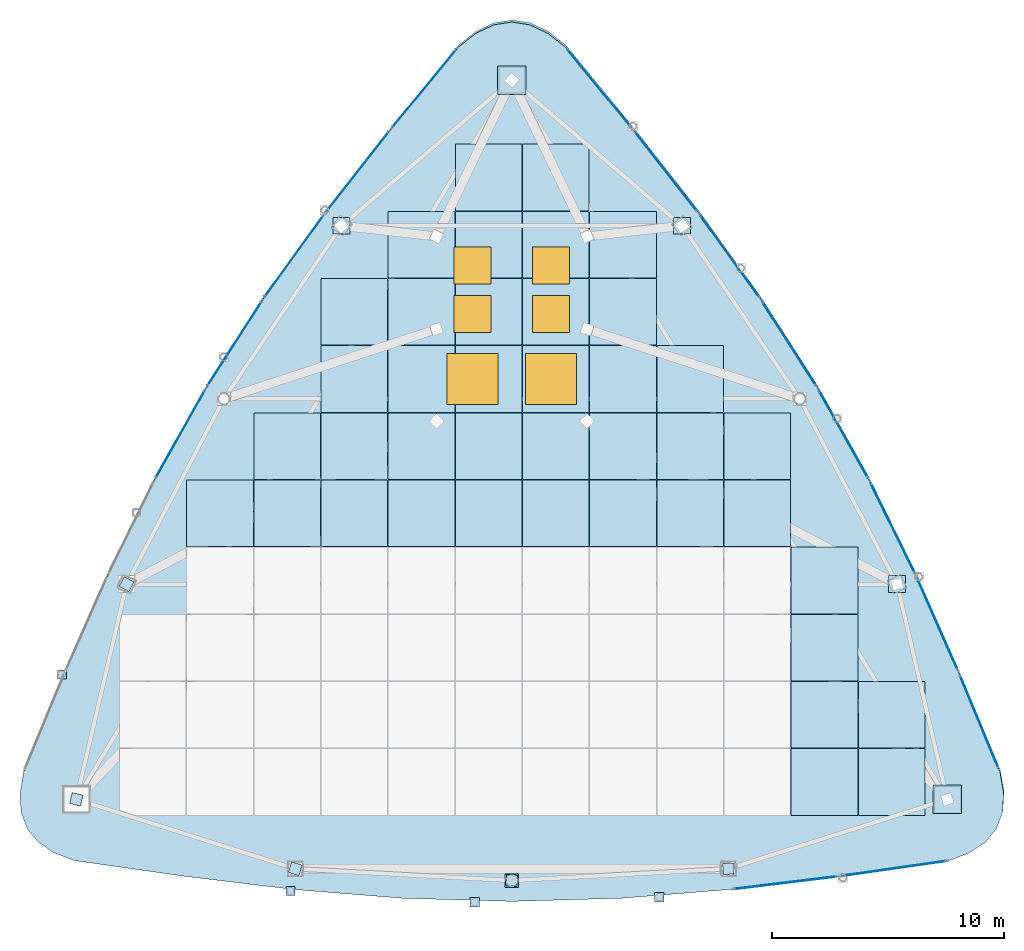
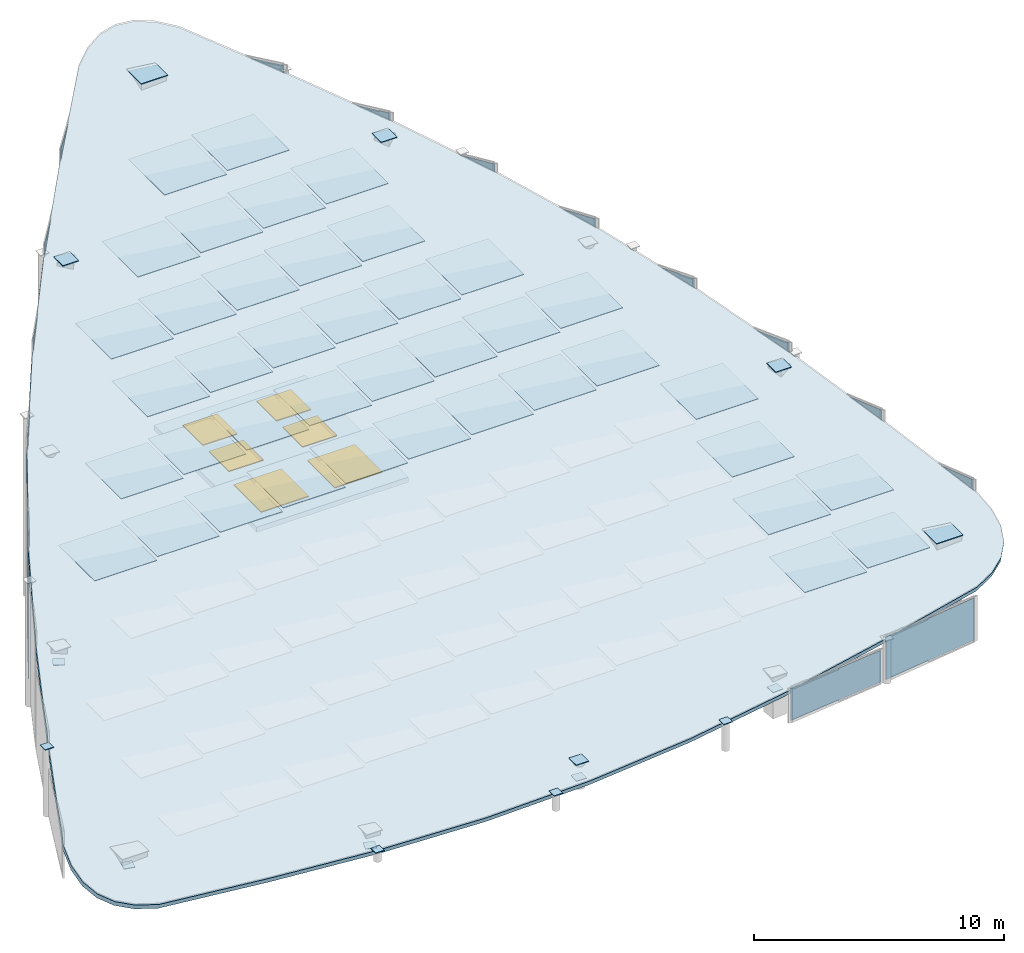
# One storey, part 19 of 21: 70 plates, 6 windows, 2 slabs, 6 openings, 15 elements without a shape of their own.
"""IFC4 building model written with IfcOpenShell, lengths in metres."""

import ifcopenshell
import ifcopenshell.guid

model = None  # the IFC model being written
_history = None  # IfcOwnerHistory: only IFC2X3 demands one
_inside = {}  # id of a spatial element -> (the spatial element, [elements in it])
_under = {}  # id of a project, library or spatial element -> (it, [spatial elements below it])
_declared = {}  # id of a project -> (the project, [libraries it declares])
_typed = {}  # id of a type object -> (the type object, [elements of that type])
_made_of = {}  # id of a material, layer set ... -> (it, [elements and type objects made of it])


def new_model(schema):
    """Start an empty IFC model of exactly this schema.

    Asked for "IFC4X3", IfcOpenShell would pick the latest addendum, in which some entities
    have other attributes; the version numbers below select the first issue.
    IFC2X3 requires an IfcOwnerHistory on every rooted entity: one is made here for all.
    """
    global model, _history
    if schema == "IFC4X3":
        model = ifcopenshell.file(schema_version=(4, 3, 0, 0))
    else:
        model = ifcopenshell.file(schema=schema)
    _inside.clear()
    _under.clear()
    _declared.clear()
    _typed.clear()
    _made_of.clear()
    _history = None
    if model.schema == "IFC2X3":
        org = make("IfcOrganization", Name="unknown")
        user = make(
            "IfcPersonAndOrganization",
            ThePerson=make("IfcPerson", FamilyName="unknown"),
            TheOrganization=org,
        )
        app = make(
            "IfcApplication",
            ApplicationDeveloper=org,
            Version="unknown",
            ApplicationFullName="unknown",
            ApplicationIdentifier="unknown",
        )
        _history = make(
            "IfcOwnerHistory",
            OwningUser=user,
            OwningApplication=app,
            ChangeAction="ADDED",
            CreationDate=0,
        )
    return model


def make(cls, **values):
    """One entity of the class cls with the attributes given. An attribute that is None is left unset."""
    return model.create_entity(
        cls, **{name: value for name, value in values.items() if value is not None}
    )


def rooted(cls, **values):
    """An entity with a GlobalId (a new one), such as an element, a storey or a relation."""
    return make(cls, GlobalId=ifcopenshell.guid.new(), OwnerHistory=_history, **values)


def si_unit(unit_type, name, prefix=None):
    """IfcSIUnit, for example si_unit("LENGTHUNIT", "METRE", prefix="MILLI")."""
    return make("IfcSIUnit", UnitType=unit_type, Prefix=prefix, Name=name)


def assignment(units):
    """IfcUnitAssignment: the units of a project."""
    return None if units is None else make("IfcUnitAssignment", Units=units)


def point(xyz):
    """IfcCartesianPoint."""
    return None if xyz is None else make("IfcCartesianPoint", Coordinates=xyz)


def direction(xyz):
    """IfcDirection."""
    return None if xyz is None else make("IfcDirection", DirectionRatios=xyz)


def frame(location, z_axis=None, x_axis=None):
    """IfcAxis2Placement3D, a coordinate frame: its origin and axes. An axis left out is left unset."""
    return make(
        "IfcAxis2Placement3D",
        Location=point(location),
        Axis=direction(z_axis),
        RefDirection=direction(x_axis),
    )


def frame_2d(location, x_axis=None):
    """IfcAxis2Placement2D, a coordinate frame in the plane: its origin and x axis."""
    return make(
        "IfcAxis2Placement2D", Location=point(location), RefDirection=direction(x_axis)
    )


def origin():
    """The frame at (0, 0, 0) with its axes left unset."""
    return frame((0.0, 0.0, 0.0))


def origin_2d():
    """The frame at (0, 0) in the plane with its x axis left unset."""
    return frame_2d((0.0, 0.0))


def place(relative_to, where):
    """IfcLocalPlacement: puts the frame where relative to a parent placement (None: the world)."""
    return make(
        "IfcLocalPlacement", PlacementRelTo=relative_to, RelativePlacement=where
    )


def context(
    kind, dimensions, precision=None, world=None, true_north=None, identifier=None
):
    """IfcGeometricRepresentationContext, for example the 3D "Model" context."""
    return make(
        "IfcGeometricRepresentationContext",
        ContextIdentifier=identifier,
        ContextType=kind,
        CoordinateSpaceDimension=dimensions,
        Precision=precision,
        WorldCoordinateSystem=world,
        TrueNorth=true_north,
    )


def subcontext(parent, identifier, kind, view, scale=None):
    """IfcGeometricRepresentationSubContext, for example "Body" below "Model"."""
    return make(
        "IfcGeometricRepresentationSubContext",
        ContextIdentifier=identifier,
        ContextType=kind,
        ParentContext=parent,
        TargetScale=scale,
        TargetView=view,
    )


def project(units=None, contexts=None):
    """IfcProject with its units and contexts."""
    return rooted(
        "IfcProject",
        Name="project",
        RepresentationContexts=contexts,
        UnitsInContext=assignment(units),
    )


def spatial(cls, under=None, at=None, **own):
    """A site, building, storey or space (cls), placed at a placement, below another one or the project."""
    s = rooted(cls, ObjectPlacement=at, **own)
    if under is not None:
        _under.setdefault(under.id(), (under, []))[1].append(s)
    return s


def polyline(points):
    """IfcPolyline through the points."""
    return make("IfcPolyline", Points=[point(p) for p in points])


def profile(cls, at=None, kind="AREA", **sizes):
    """A parametric profile (cls). Its sizes go by their IFC names, for example OverallWidth=200.0."""
    return make(cls, ProfileType=kind, Position=at, **sizes)


def rectangle(**sizes):
    """IfcRectangleProfileDef."""
    return profile("IfcRectangleProfileDef", **sizes)


def outline(outer, holes=None, kind="AREA"):
    """IfcArbitraryClosedProfileDef: a profile drawn as a closed curve; with holes, ...WithVoids."""
    if holes is None:
        return make("IfcArbitraryClosedProfileDef", ProfileType=kind, OuterCurve=outer)
    return make(
        "IfcArbitraryProfileDefWithVoids",
        ProfileType=kind,
        OuterCurve=outer,
        InnerCurves=holes,
    )


def extrude(swept, where, along, depth):
    """IfcExtrudedAreaSolid: the profile swept, set in the frame where, extruded along a direction by depth."""
    return make(
        "IfcExtrudedAreaSolid",
        SweptArea=swept,
        Position=where,
        ExtrudedDirection=direction(along),
        Depth=depth,
    )


def shape(context_of_items, identifier, shape_type, items):
    """IfcShapeRepresentation: the items that make up one representation, for example the "Body"."""
    return make(
        "IfcShapeRepresentation",
        ContextOfItems=context_of_items,
        RepresentationIdentifier=identifier,
        RepresentationType=shape_type,
        Items=items,
    )


def material(Name=None, Category=None):
    """IfcMaterial."""
    return make("IfcMaterial", Name=Name, Category=Category)


def layer(
    of_material, thickness, ventilated=None, Name=None, Category=None, Priority=None
):
    """IfcMaterialLayer: one layer of a wall or slab, of a material (None: an air gap)."""
    return make(
        "IfcMaterialLayer",
        Material=of_material,
        LayerThickness=thickness,
        IsVentilated=ventilated,
        Name=Name,
        Category=Category,
        Priority=Priority,
    )


def layer_set(layers, Name=None):
    """IfcMaterialLayerSet."""
    return make("IfcMaterialLayerSet", MaterialLayers=layers, LayerSetName=Name)


def made_of(thing, what):
    """Note that an element or type object is made of a material, layer set ...; save() writes the relation."""
    if what is not None:
        _made_of.setdefault(what.id(), (what, []))[1].append(thing)
    return thing


def type_object(cls, material=None, **own):
    """A type object (cls), such as IfcWallType, which elements share."""
    return made_of(rooted(cls, **own), material)


def element(
    cls,
    number,
    at=None,
    inside=None,
    cuts=None,
    type_object=None,
    material=None,
    context=None,
    identifier="Body",
    shape_type=None,
    held_by="IfcProductDefinitionShape",
    body=None,
    shapes=None,
    **own,
):
    """One element of the class cls, such as IfcWall. Its Tag is "e" and its number.

    at: its placement. inside: the storey or other place that contains it. cuts: it is an
    opening in that element (IfcRelVoidsElement). A single representation is given by context,
    identifier, shape_type and body (its items); several are given by shapes. held_by: the class
    of the entity that holds the representations. save() writes the other relations.
    """
    e = rooted(cls, Tag="e%d" % number, ObjectPlacement=at, **own)
    if body is not None:
        shapes = [shape(context, identifier, shape_type, body)]
    if shapes is not None:
        e.Representation = make(held_by, Representations=shapes)
    if inside is not None:
        _inside.setdefault(inside.id(), (inside, []))[1].append(e)
    if cuts is not None:
        rooted(
            "IfcRelVoidsElement", RelatingBuildingElement=cuts, RelatedOpeningElement=e
        )
    if type_object is not None:
        _typed.setdefault(type_object.id(), (type_object, []))[1].append(e)
    return made_of(e, material)


def fill(opening, filler):
    """IfcRelFillsElement: the door or window that sits in an opening."""
    return rooted(
        "IfcRelFillsElement",
        RelatingOpeningElement=opening,
        RelatedBuildingElement=filler,
    )


def aggregate(whole, parts):
    """IfcRelAggregates: a whole, such as a stair, and the parts it consists of."""
    return rooted("IfcRelAggregates", RelatingObject=whole, RelatedObjects=parts)


def save(model, path):
    """Write the relations noted so far, then the file.

    IfcRelAggregates (storeys below a building ...), IfcRelContainedInSpatialStructure (elements
    in a storey), IfcRelDefinesByType, IfcRelAssociatesMaterial and IfcRelDeclares: one each for
    every whole, place, type object, material and project.
    """
    for whole, parts in _under.values():
        aggregate(whole, parts)
    for where, things in _inside.values():
        rooted(
            "IfcRelContainedInSpatialStructure",
            RelatedElements=things,
            RelatingStructure=where,
        )
    for kind, things in _typed.values():
        rooted("IfcRelDefinesByType", RelatedObjects=things, RelatingType=kind)
    for what, things in _made_of.values():
        rooted("IfcRelAssociatesMaterial", RelatedObjects=things, RelatingMaterial=what)
    for by, libraries in _declared.values():
        rooted("IfcRelDeclares", RelatingContext=by, RelatedDefinitions=libraries)
    model.write(path)


model = new_model("IFC4")

# Units and contexts
model_context = context("Model", 3, precision=1e-05, world=origin(), true_north=direction((0.0, 1.0)))
body_context = subcontext(model_context, "Body", "Model", "MODEL_VIEW")
ifc_project = project(units=[si_unit("LENGTHUNIT", "METRE"), si_unit("AREAUNIT", "SQUARE_METRE"), si_unit("VOLUMEUNIT", "CUBIC_METRE"), si_unit("PLANEANGLEUNIT", "RADIAN"), si_unit("MASSUNIT", "GRAM", prefix="KILO")], contexts=[model_context])

# Site, building, storey
site_placement = place(None, origin())
site = spatial("IfcSite", under=ifc_project, at=site_placement, CompositionType="ELEMENT")
building_placement = place(site_placement, origin())
building = spatial("IfcBuilding", under=site, at=building_placement, Name="Orvanel Arch Residences", CompositionType="ELEMENT")
storey_placement = place(building_placement, frame((0.0, 0.0, 314.89990234375)))
storey = spatial("IfcBuildingStorey", under=building, at=storey_placement, Name="RF", CompositionType="ELEMENT", Elevation=314.89990234375)

# Plates
ifc_material_1 = material(Name="Structural steel AS/NZS 3678 Grade 350", Category="steel")
ifc_layer_1 = layer(ifc_material_1, 0.028076171875)
ifc_layer_set_1 = layer_set([ifc_layer_1], Name="Structural steel AS/NZS 3678 Grade 350")
plate_type_1 = type_object("IfcPlateType", Name="PL-CAP-28", PredefinedType="SHEET", material=ifc_layer_set_1)
for number, where, z_axis, x_axis, name in (
    (1, (33.0, 41.39794921875, 13.880859375), (0.0, 0.0, 1.0), (1.0, 0.0, 0.0), "RF hollow member end cap plate"),
    (2, (51.801025390625, 10.35107421875, 3.67724609375), (0.0, 0.0, 1.0), (1.0, 0.0, 0.0), "RF hollow member end cap plate"),
):
    element("IfcPlate", number, at=place(storey_placement, frame(where, z_axis=z_axis, x_axis=x_axis)), inside=storey, type_object=plate_type_1, Name=name, PredefinedType="SHEET", context=body_context, shape_type="SweptSolid", body=[
        extrude(rectangle(XDim=1.22998046875, YDim=1.22998046875, at=origin_2d()), origin(), (0.0, 0.0, 1.0), 0.028076171875),
    ])
plate_1_placement = place(storey_placement, frame((25.64794921875, 35.113037109375, 11.14599609375), z_axis=(0.0, 0.0, 1.0), x_axis=(1.0, 0.0, 0.0)))
element("IfcPlate", 3, at=plate_1_placement, inside=storey, type_object=plate_type_1, Name="RF hollow member end cap plate", PredefinedType="SHEET", context=body_context, shape_type="SweptSolid", body=[
    extrude(rectangle(XDim=0.72998046875, YDim=0.72998046875, at=origin_2d()), origin(), (0.0, 0.0, 1.0), 0.028076171875),
])
plate_2_placement = place(storey_placement, frame((33.0, 6.843994140625, 1.26904296875), z_axis=(0.0, 0.0, 1.0), x_axis=(1.0, 0.0, 0.0)))
element("IfcPlate", 4, at=plate_2_placement, inside=storey, type_object=plate_type_1, Name="RF hollow member end cap plate", PredefinedType="SHEET", context=body_context, shape_type="SweptSolid", body=[
    extrude(rectangle(XDim=0.587890625, YDim=0.587890625, at=origin_2d()), origin(), (0.0, 0.0, 1.0), 0.028076171875),
])
for number, where, z_axis, x_axis, name in (
    (5, (49.633056640625, 19.64208984375, 6.93798828125), (0.0, 0.0, 1.0), (1.0, 0.0, 0.0), "RF hollow member end cap plate"),
    (6, (40.35205078125, 35.113037109375, 12.02783203125), (0.0, 0.0, 1.0), (1.0, 0.0, 0.0), "RF hollow member end cap plate"),
):
    element("IfcPlate", number, at=place(storey_placement, frame(where, z_axis=z_axis, x_axis=x_axis)), inside=storey, type_object=plate_type_1, Name=name, PredefinedType="SHEET", context=body_context, shape_type="SweptSolid", body=[
        extrude(rectangle(XDim=0.72998046875, YDim=0.72998046875, at=origin_2d()), origin(), (0.0, 0.0, 1.0), 0.028076171875),
    ])
ifc_layer_2 = layer(ifc_material_1, 0.031982421875)
ifc_layer_set_2 = layer_set([ifc_layer_2], Name="Structural steel AS/NZS 3678 Grade 350")
plate_type_2 = type_object("IfcPlateType", Name="PL-CAP-32", PredefinedType="SHEET", material=ifc_layer_set_2)
for number, where, z_axis, x_axis, name in (
    (7, (13.577880859375, 15.740966796875, 3.3291015625), (0.0, 0.0, 1.0), (1.0, 0.0, 0.0), "RF hollow member end cap plate"),
    (8, (23.44189453125, 6.39404296875, 0.50927734375), (0.0, 0.0, 1.0), (1.0, 0.0, 0.0), "RF hollow member end cap plate"),
    (9, (31.39892578125, 5.908935546875, 0.80908203125), (0.0, 0.0, 1.0), (1.0, 0.0, 0.0), "RF hollow member end cap plate"),
    (10, (39.366943359375, 6.131103515625, 1.3681640625), (0.0, 0.0, 1.0), (1.0, 0.0, 0.0), "RF hollow member end cap plate"),
):
    element("IfcPlate", number, at=place(storey_placement, frame(where, z_axis=z_axis, x_axis=x_axis)), inside=storey, type_object=plate_type_2, Name=name, PredefinedType="SHEET", context=body_context, shape_type="SweptSolid", body=[
        extrude(rectangle(XDim=0.404052734375, YDim=0.404052734375, at=origin_2d()), origin(), (0.0, 0.0, 1.0), 0.031982421875),
    ])
for number, where, z_axis, x_axis, name in (
    (11, (16.366943359375, 19.64208984375, 4.10009765625), (0.0, 0.0, 1.0), (0.464842045725, 0.885393625754, 0.0), "RF hollow member end cap plate"),
    (12, (14.198974609375, 10.35107421875, 0.5791015625), (0.0, 0.0, 1.0), (0.226651307437, 0.973975967279, 0.0), "RF hollow member end cap plate"),
    (13, (23.64892578125, 7.35498046875, 0.05224609375), (0.0, 0.0, 1.0), (-0.953190667793, 0.30236989075, 0.0), "RF hollow member end cap plate"),
    (14, (33.0, 6.843994140625, 0.42724609375), (0.0, 0.0, 1.0), (-0.998536670326, 0.054078812985, 0.0), "RF hollow member end cap plate"),
    (15, (42.35107421875, 7.35498046875, 1.17431640625), (0.0, 0.0, 1.0), (0.998536670326, 0.054078812985, 0.0), "RF hollow member end cap plate"),
):
    element("IfcPlate", number, at=place(storey_placement, frame(where, z_axis=z_axis, x_axis=x_axis)), inside=storey, type_object=plate_type_2, Name=name, PredefinedType="SHEET", context=body_context, shape_type="SweptSolid", body=[
        extrude(rectangle(XDim=0.47998046875, YDim=0.47998046875, at=origin_2d()), origin(), (0.0, 0.0, 1.0), 0.031982421875),
    ])
ifc_material_2 = material(Name="Double-glazed solar-control low-E safety glass", Category="glass")
ifc_layer_3 = layer(ifc_material_2, 0.031982421875)
ifc_layer_set_3 = layer_set([ifc_layer_3], Name="Double-glazed solar-control low-E safety glass")
plate_type_3 = type_object("IfcPlateType", Name="PL-GLZ-32", PredefinedType="SHEET", material=ifc_layer_set_3)
for number, where, z_axis, x_axis, name in (
    (16, (20.39990234375, 22.699951171875, 6.154296875), (0.0, 0.0, 1.0), (1.0, 0.0, 0.0), "RF Crown Fitted Winter-Garden Skylight Glazing Panel 08"),
    (17, (23.300048828125, 22.699951171875, 6.328125), (0.0, 0.0, 1.0), (1.0, 0.0, 0.0), "RF Crown Fitted Winter-Garden Skylight Glazing Panel 13"),
    (18, (23.300048828125, 25.60009765625, 7.38720703125), (0.0, 0.0, 1.0), (1.0, 0.0, 0.0), "RF Crown Fitted Winter-Garden Skylight Glazing Panel 14"),
    (19, (26.199951171875, 22.699951171875, 6.501953125), (0.0, 0.0, 1.0), (1.0, 0.0, 0.0), "RF Crown Fitted Winter-Garden Skylight Glazing Panel 19"),
    (20, (26.199951171875, 25.60009765625, 7.56103515625), (0.0, 0.0, 1.0), (1.0, 0.0, 0.0), "RF Crown Fitted Winter-Garden Skylight Glazing Panel 20"),
    (21, (26.199951171875, 28.5, 8.619140625), (0.0, 0.0, 1.0), (1.0, 0.0, 0.0), "RF Crown Fitted Winter-Garden Skylight Glazing Panel 21"),
    (22, (26.199951171875, 31.39990234375, 9.67822265625), (0.0, 0.0, 1.0), (1.0, 0.0, 0.0), "RF Crown Fitted Winter-Garden Skylight Glazing Panel 22"),
    (23, (29.10009765625, 22.699951171875, 6.67626953125), (0.0, 0.0, 1.0), (1.0, 0.0, 0.0), "RF Crown Fitted Winter-Garden Skylight Glazing Panel 27"),
    (24, (29.10009765625, 25.60009765625, 7.73486328125), (0.0, 0.0, 1.0), (1.0, 0.0, 0.0), "RF Crown Fitted Winter-Garden Skylight Glazing Panel 28"),
    (25, (29.10009765625, 28.5, 8.79296875), (0.0, 0.0, 1.0), (1.0, 0.0, 0.0), "RF Crown Fitted Winter-Garden Skylight Glazing Panel 29"),
    (26, (29.10009765625, 31.39990234375, 9.85205078125), (0.0, 0.0, 1.0), (1.0, 0.0, 0.0), "RF Crown Fitted Winter-Garden Skylight Glazing Panel 30"),
    (27, (29.10009765625, 34.300048828125, 10.91015625), (0.0, 0.0, 1.0), (1.0, 0.0, 0.0), "RF Crown Fitted Winter-Garden Skylight Glazing Panel 31"),
    (28, (32.0, 22.699951171875, 6.85009765625), (0.0, 0.0, 1.0), (1.0, 0.0, 0.0), "RF Crown Fitted Winter-Garden Skylight Glazing Panel 36"),
    (29, (32.0, 25.60009765625, 7.9091796875), (0.0, 0.0, 1.0), (1.0, 0.0, 0.0), "RF Crown Fitted Winter-Garden Skylight Glazing Panel 37"),
    (30, (32.0, 28.5, 8.96728515625), (0.0, 0.0, 1.0), (1.0, 0.0, 0.0), "RF Crown Fitted Winter-Garden Skylight Glazing Panel 38"),
    (31, (32.0, 31.39990234375, 10.02587890625), (0.0, 0.0, 1.0), (1.0, 0.0, 0.0), "RF Crown Fitted Winter-Garden Skylight Glazing Panel 39"),
    (32, (32.0, 34.300048828125, 11.083984375), (0.0, 0.0, 1.0), (1.0, 0.0, 0.0), "RF Crown Fitted Winter-Garden Skylight Glazing Panel 40"),
    (33, (32.0, 37.199951171875, 12.14306640625), (0.0, 0.0, 1.0), (1.0, 0.0, 0.0), "RF Crown Fitted Winter-Garden Skylight Glazing Panel 41"),
    (34, (34.89990234375, 22.699951171875, 7.02392578125), (0.0, 0.0, 1.0), (1.0, 0.0, 0.0), "RF Crown Fitted Winter-Garden Skylight Glazing Panel 46"),
    (35, (34.89990234375, 25.60009765625, 8.0830078125), (0.0, 0.0, 1.0), (1.0, 0.0, 0.0), "RF Crown Fitted Winter-Garden Skylight Glazing Panel 47"),
    (36, (34.89990234375, 28.5, 9.14111328125), (0.0, 0.0, 1.0), (1.0, 0.0, 0.0), "RF Crown Fitted Winter-Garden Skylight Glazing Panel 48"),
    (37, (34.89990234375, 31.39990234375, 10.19921875), (0.0, 0.0, 1.0), (1.0, 0.0, 0.0), "RF Crown Fitted Winter-Garden Skylight Glazing Panel 49"),
    (38, (34.89990234375, 34.300048828125, 11.25830078125), (0.0, 0.0, 1.0), (1.0, 0.0, 0.0), "RF Crown Fitted Winter-Garden Skylight Glazing Panel 50"),
    (39, (34.89990234375, 37.199951171875, 12.31689453125), (0.0, 0.0, 1.0), (1.0, 0.0, 0.0), "RF Crown Fitted Winter-Garden Skylight Glazing Panel 51"),
    (40, (37.800048828125, 22.699951171875, 7.1982421875), (0.0, 0.0, 1.0), (1.0, 0.0, 0.0), "RF Crown Fitted Winter-Garden Skylight Glazing Panel 56"),
    (41, (37.800048828125, 25.60009765625, 8.25732421875), (0.0, 0.0, 1.0), (1.0, 0.0, 0.0), "RF Crown Fitted Winter-Garden Skylight Glazing Panel 57"),
    (42, (37.800048828125, 28.5, 9.31494140625), (0.0, 0.0, 1.0), (1.0, 0.0, 0.0), "RF Crown Fitted Winter-Garden Skylight Glazing Panel 58"),
    (43, (37.800048828125, 31.39990234375, 10.3740234375), (0.0, 0.0, 1.0), (1.0, 0.0, 0.0), "RF Crown Fitted Winter-Garden Skylight Glazing Panel 59"),
    (44, (37.800048828125, 34.300048828125, 11.43212890625), (0.0, 0.0, 1.0), (1.0, 0.0, 0.0), "RF Crown Fitted Winter-Garden Skylight Glazing Panel 60"),
    (45, (40.699951171875, 22.699951171875, 7.3720703125), (0.0, 0.0, 1.0), (1.0, 0.0, 0.0), "RF Crown Fitted Winter-Garden Skylight Glazing Panel 65"),
    (46, (40.699951171875, 25.60009765625, 8.43017578125), (0.0, 0.0, 1.0), (1.0, 0.0, 0.0), "RF Crown Fitted Winter-Garden Skylight Glazing Panel 66"),
    (47, (40.699951171875, 28.5, 9.4892578125), (0.0, 0.0, 1.0), (1.0, 0.0, 0.0), "RF Crown Fitted Winter-Garden Skylight Glazing Panel 67"),
    (48, (43.60009765625, 22.699951171875, 7.5458984375), (0.0, 0.0, 1.0), (1.0, 0.0, 0.0), "RF Crown Fitted Winter-Garden Skylight Glazing Panel 72"),
    (49, (43.60009765625, 25.60009765625, 8.60498046875), (0.0, 0.0, 1.0), (1.0, 0.0, 0.0), "RF Crown Fitted Winter-Garden Skylight Glazing Panel 73"),
    (50, (46.5, 11.10009765625, 3.486328125), (0.0, 0.0, 1.0), (1.0, 0.0, 0.0), "RF Crown Fitted Winter-Garden Skylight Glazing Panel 74"),
    (51, (46.5, 14.0, 4.544921875), (0.0, 0.0, 1.0), (1.0, 0.0, 0.0), "RF Crown Fitted Winter-Garden Skylight Glazing Panel 75"),
    (52, (46.5, 16.89990234375, 5.60302734375), (0.0, 0.0, 1.0), (1.0, 0.0, 0.0), "RF Crown Fitted Winter-Garden Skylight Glazing Panel 76"),
    (53, (46.5, 19.800048828125, 6.662109375), (0.0, 0.0, 1.0), (1.0, 0.0, 0.0), "RF Crown Fitted Winter-Garden Skylight Glazing Panel 77"),
    (54, (49.39990234375, 11.10009765625, 3.66015625), (0.0, 0.0, 1.0), (1.0, 0.0, 0.0), "RF Crown Fitted Winter-Garden Skylight Glazing Panel 78"),
    (55, (49.39990234375, 14.0, 4.71923828125), (0.0, 0.0, 1.0), (1.0, 0.0, 0.0), "RF Crown Fitted Winter-Garden Skylight Glazing Panel 79"),
):
    element("IfcPlate", number, at=place(storey_placement, frame(where, z_axis=z_axis, x_axis=x_axis)), inside=storey, type_object=plate_type_3, Name=name, PredefinedType="SHEET", context=body_context, shape_type="SweptSolid", body=[
        extrude(rectangle(XDim=2.8798828125, YDim=2.8798828125, at=origin_2d()), origin(), (0.0, 0.0, 1.0), 0.031982421875),
    ])

# Curtain wall, plate
ifc_material_3 = material(Name="Bronze-anodised aluminium AA6063-T6", Category="aluminium")
ifc_layer_4 = layer(ifc_material_3, 0.2099609375)
ifc_layer_set_4 = layer_set([ifc_layer_4], Name="Bronze-anodised aluminium AA6063-T6")
curtain_wall_type = type_object("IfcCurtainWallType", Name="CW7-TOP-SYS", PredefinedType="NOTDEFINED", material=ifc_layer_set_4)
curtain_wall_1_placement = place(storey_placement, origin())
curtain_wall_1 = element("IfcCurtainWall", 56, at=curtain_wall_1_placement, inside=storey, type_object=curtain_wall_type, Name="RF CW7-TOP-SYS Unitised Curtain Wall", PredefinedType="NOTDEFINED")
ifc_layer_5 = layer(ifc_material_2, 0.031982421875)
ifc_layer_set_5 = layer_set([ifc_layer_5], Name="Double-glazed solar-control low-E safety glass")
plate_type_4 = type_object("IfcPlateType", Name="PNL-GLZ-32", PredefinedType="CURTAIN_PANEL", material=ifc_layer_set_5)
plate_3_placement = place(storey_placement, frame((29.22412109375, 41.048095703125, 0.065185546875), z_axis=(0.0, 0.0, 1.0), x_axis=(-0.634378093739, -0.773022919572, 0.0)))
plate_3 = element("IfcPlate", 57, at=plate_3_placement, type_object=plate_type_4, Name="CW-S7 panel 1.1", PredefinedType="CURTAIN_PANEL", context=body_context, shape_type="SweptSolid", body=[
    extrude(rectangle(XDim=4.336181640625, YDim=0.031982421875, at=origin_2d()), origin(), (0.0, 0.0, 1.0), 13.1298828125),
])
aggregate(curtain_wall_1, [plate_3])

curtain_wall_2_placement = place(storey_placement, origin())
curtain_wall_2 = element("IfcCurtainWall", 58, at=curtain_wall_2_placement, inside=storey, type_object=curtain_wall_type, Name="RF CW7-TOP-SYS Unitised Curtain Wall", PredefinedType="NOTDEFINED")
plate_4_placement = place(storey_placement, frame((26.345458984375, 37.4609375, 0.065185546875), z_axis=(0.0, 0.0, 1.0), x_axis=(-0.617169785025, -0.786830004799, 0.0)))
plate_4 = element("IfcPlate", 59, at=plate_4_placement, type_object=plate_type_4, Name="CW-S7 panel 1.1", PredefinedType="CURTAIN_PANEL", context=body_context, shape_type="SweptSolid", body=[
    extrude(rectangle(XDim=4.32373046875, YDim=0.031982421875, at=origin_2d()), origin(), (0.0, 0.0, 1.0), 11.64794921875),
])
aggregate(curtain_wall_2, [plate_4])

curtain_wall_3_placement = place(storey_placement, origin())
curtain_wall_3 = element("IfcCurtainWall", 60, at=curtain_wall_3_placement, inside=storey, type_object=curtain_wall_type, Name="RF CW7-TOP-SYS Unitised Curtain Wall", PredefinedType="NOTDEFINED")
plate_5_placement = place(storey_placement, frame((23.592041015625, 33.798095703125, 0.065185546875), z_axis=(0.0, 0.0, 1.0), x_axis=(-0.584292894632, -0.811542859794, 0.0)))
plate_5 = element("IfcPlate", 61, at=plate_5_placement, type_object=plate_type_4, Name="CW-S7 panel 1.1", PredefinedType="CURTAIN_PANEL", context=body_context, shape_type="SweptSolid", body=[
    extrude(rectangle(XDim=4.30322265625, YDim=0.031982421875, at=origin_2d()), origin(), (0.0, 0.0, 1.0), 10.14599609375),
])
aggregate(curtain_wall_3, [plate_5])

curtain_wall_4_placement = place(storey_placement, origin())
curtain_wall_4 = element("IfcCurtainWall", 62, at=curtain_wall_4_placement, inside=storey, type_object=curtain_wall_type, Name="RF CW7-TOP-SYS Unitised Curtain Wall", PredefinedType="NOTDEFINED")
plate_6_placement = place(storey_placement, frame((21.026611328125, 30.02294921875, 0.06494140625), z_axis=(0.0, 0.0, 1.0), x_axis=(-0.539686590369, -0.841866013197, 0.0)))
plate_6 = element("IfcPlate", 63, at=plate_6_placement, type_object=plate_type_4, Name="CW-S7 panel 1.1", PredefinedType="CURTAIN_PANEL", context=body_context, shape_type="SweptSolid", body=[
    extrude(rectangle(XDim=4.287841796875, YDim=0.031982421875, at=origin_2d()), origin(), (0.0, 0.0, 1.0), 8.614013671875),
])
aggregate(curtain_wall_4, [plate_6])

curtain_wall_5_placement = place(storey_placement, origin())
curtain_wall_5 = element("IfcCurtainWall", 64, at=curtain_wall_5_placement, inside=storey, type_object=curtain_wall_type, Name="RF CW7-TOP-SYS Unitised Curtain Wall", PredefinedType="NOTDEFINED")
plate_7_placement = place(storey_placement, frame((18.6826171875, 26.115478515625, 0.06494140625), z_axis=(0.0, 0.0, 1.0), x_axis=(-0.488966816375, -0.872302385921, 0.0)))
plate_7 = element("IfcPlate", 65, at=plate_7_placement, type_object=plate_type_4, Name="CW-S7 panel 1.1", PredefinedType="CURTAIN_PANEL", context=body_context, shape_type="SweptSolid", body=[
    extrude(rectangle(XDim=4.2900390625, YDim=0.031982421875, at=origin_2d()), origin(), (0.0, 0.0, 1.0), 7.047119140625),
])
aggregate(curtain_wall_5, [plate_7])

curtain_wall_6_placement = place(storey_placement, origin())
curtain_wall_6 = element("IfcCurtainWall", 66, at=curtain_wall_6_placement, inside=storey, type_object=curtain_wall_type, Name="RF CW7-TOP-SYS Unitised Curtain Wall", PredefinedType="NOTDEFINED")
plate_8_placement = place(storey_placement, frame((44.801513671875, 6.74609375, 0.065185546875), z_axis=(0.0, 0.0, 1.0), x_axis=(0.992725969513, 0.12039580331, 0.0)))
plate_8 = element("IfcPlate", 67, at=plate_8_placement, type_object=plate_type_4, Name="CW-S7 panel 1.1", PredefinedType="CURTAIN_PANEL", context=body_context, shape_type="SweptSolid", body=[
    extrude(rectangle(XDim=4.484619140625, YDim=0.031982421875, at=origin_2d()), origin(), (0.0, 0.0, 1.0), 1.544921875),
])
aggregate(curtain_wall_6, [plate_8])

curtain_wall_7_placement = place(storey_placement, origin())
curtain_wall_7 = element("IfcCurtainWall", 68, at=curtain_wall_7_placement, inside=storey, type_object=curtain_wall_type, Name="RF CW7-TOP-SYS Unitised Curtain Wall", PredefinedType="NOTDEFINED")
plate_9_placement = place(storey_placement, frame((49.5224609375, 7.368896484375, 0.06494140625), z_axis=(0.0, 0.0, 1.0), x_axis=(0.98993658574, 0.14151168225, 0.0)))
plate_9 = element("IfcPlate", 69, at=plate_9_placement, type_object=plate_type_4, Name="CW-S7 panel 1.1", PredefinedType="CURTAIN_PANEL", context=body_context, shape_type="SweptSolid", body=[
    extrude(rectangle(XDim=4.499755859375, YDim=0.031982421875, at=origin_2d()), origin(), (0.0, 0.0, 1.0), 2.055908203125),
])
aggregate(curtain_wall_7, [plate_9])

curtain_wall_8_placement = place(storey_placement, origin())
curtain_wall_8 = element("IfcCurtainWall", 70, at=curtain_wall_8_placement, inside=storey, type_object=curtain_wall_type, Name="RF CW7-TOP-SYS Unitised Curtain Wall", PredefinedType="NOTDEFINED")
plate_10_placement = place(storey_placement, frame((53.18505859375, 13.6923828125, 0.065185546875), z_axis=(0.0, 0.0, 1.0), x_axis=(-0.38327007658, 0.923636318254, 0.0)))
plate_10 = element("IfcPlate", 71, at=plate_10_placement, type_object=plate_type_4, Name="CW-S7 panel 1.1", PredefinedType="CURTAIN_PANEL", context=body_context, shape_type="SweptSolid", body=[
    extrude(rectangle(XDim=4.337646484375, YDim=0.031982421875, at=origin_2d()), origin(), (0.0, 0.0, 1.0), 4.5830078125),
])
aggregate(curtain_wall_8, [plate_10])

curtain_wall_9_placement = place(storey_placement, origin())
curtain_wall_9 = element("IfcCurtainWall", 72, at=curtain_wall_9_placement, inside=storey, type_object=curtain_wall_type, Name="RF CW7-TOP-SYS Unitised Curtain Wall", PredefinedType="NOTDEFINED")
plate_11_placement = place(storey_placement, frame((51.375, 17.9208984375, 0.065185546875), z_axis=(0.0, 0.0, 1.0), x_axis=(-0.403772306151, 0.914859510955, 0.0)))
plate_11 = element("IfcPlate", 73, at=plate_11_placement, type_object=plate_type_4, Name="CW-S7 panel 1.1", PredefinedType="CURTAIN_PANEL", context=body_context, shape_type="SweptSolid", body=[
    extrude(rectangle(XDim=4.32275390625, YDim=0.031982421875, at=origin_2d()), origin(), (0.0, 0.0, 1.0), 6.01806640625),
])
aggregate(curtain_wall_9, [plate_11])

curtain_wall_10_placement = place(storey_placement, origin())
curtain_wall_10 = element("IfcCurtainWall", 74, at=curtain_wall_10_placement, inside=storey, type_object=curtain_wall_type, Name="RF CW7-TOP-SYS Unitised Curtain Wall", PredefinedType="NOTDEFINED")
plate_12_placement = place(storey_placement, frame((49.43994140625, 22.074462890625, 0.065185546875), z_axis=(0.0, 0.0, 1.0), x_axis=(-0.441005431305, 0.897504434284, 0.0)))
plate_12 = element("IfcPlate", 75, at=plate_12_placement, type_object=plate_type_4, Name="CW-S7 panel 1.1", PredefinedType="CURTAIN_PANEL", context=body_context, shape_type="SweptSolid", body=[
    extrude(rectangle(XDim=4.303466796875, YDim=0.031982421875, at=origin_2d()), origin(), (0.0, 0.0, 1.0), 7.41796875),
])
aggregate(curtain_wall_10, [plate_12])

curtain_wall_11_placement = place(storey_placement, origin())
curtain_wall_11 = element("IfcCurtainWall", 76, at=curtain_wall_11_placement, inside=storey, type_object=curtain_wall_type, Name="RF CW7-TOP-SYS Unitised Curtain Wall", PredefinedType="NOTDEFINED")
plate_13_placement = place(storey_placement, frame((47.3173828125, 26.115478515625, 0.06494140625), z_axis=(0.0, 0.0, 1.0), x_axis=(-0.488966816375, 0.872302385921, 0.0)))
plate_13 = element("IfcPlate", 77, at=plate_13_placement, type_object=plate_type_4, Name="CW-S7 panel 1.1", PredefinedType="CURTAIN_PANEL", context=body_context, shape_type="SweptSolid", body=[
    extrude(rectangle(XDim=4.2900390625, YDim=0.031982421875, at=origin_2d()), origin(), (0.0, 0.0, 1.0), 8.76611328125),
])
aggregate(curtain_wall_11, [plate_13])

curtain_wall_12_placement = place(storey_placement, origin())
curtain_wall_12 = element("IfcCurtainWall", 78, at=curtain_wall_12_placement, inside=storey, type_object=curtain_wall_type, Name="RF CW7-TOP-SYS Unitised Curtain Wall", PredefinedType="NOTDEFINED")
plate_14_placement = place(storey_placement, frame((44.973388671875, 30.02294921875, 0.06494140625), z_axis=(0.0, 0.0, 1.0), x_axis=(-0.539686590369, 0.841866013197, 0.0)))
plate_14 = element("IfcPlate", 79, at=plate_14_placement, type_object=plate_type_4, Name="CW-S7 panel 1.1", PredefinedType="CURTAIN_PANEL", context=body_context, shape_type="SweptSolid", body=[
    extrude(rectangle(XDim=4.287841796875, YDim=0.031982421875, at=origin_2d()), origin(), (0.0, 0.0, 1.0), 10.051025390625),
])
aggregate(curtain_wall_12, [plate_14])

curtain_wall_13_placement = place(storey_placement, origin())
curtain_wall_13 = element("IfcCurtainWall", 80, at=curtain_wall_13_placement, inside=storey, type_object=curtain_wall_type, Name="RF CW7-TOP-SYS Unitised Curtain Wall", PredefinedType="NOTDEFINED")
plate_15_placement = place(storey_placement, frame((42.407958984375, 33.798095703125, 0.065185546875), z_axis=(0.0, 0.0, 1.0), x_axis=(-0.584292894632, 0.811542859794, 0.0)))
plate_15 = element("IfcPlate", 81, at=plate_15_placement, type_object=plate_type_4, Name="CW-S7 panel 1.1", PredefinedType="CURTAIN_PANEL", context=body_context, shape_type="SweptSolid", body=[
    extrude(rectangle(XDim=4.30322265625, YDim=0.031982421875, at=origin_2d()), origin(), (0.0, 0.0, 1.0), 11.27490234375),
])
aggregate(curtain_wall_13, [plate_15])

curtain_wall_14_placement = place(storey_placement, origin())
curtain_wall_14 = element("IfcCurtainWall", 82, at=curtain_wall_14_placement, inside=storey, type_object=curtain_wall_type, Name="RF CW7-TOP-SYS Unitised Curtain Wall", PredefinedType="NOTDEFINED")
plate_16_placement = place(storey_placement, frame((39.654541015625, 37.4609375, 0.06494140625), z_axis=(0.0, 0.0, 1.0), x_axis=(-0.617169785025, 0.786830004799, 0.0)))
plate_16 = element("IfcPlate", 83, at=plate_16_placement, type_object=plate_type_4, Name="CW-S7 panel 1.1", PredefinedType="CURTAIN_PANEL", context=body_context, shape_type="SweptSolid", body=[
    extrude(rectangle(XDim=4.32373046875, YDim=0.031982421875, at=origin_2d()), origin(), (0.0, 0.0, 1.0), 12.447021484375),
])
aggregate(curtain_wall_14, [plate_16])

curtain_wall_15_placement = place(storey_placement, origin())
curtain_wall_15 = element("IfcCurtainWall", 84, at=curtain_wall_15_placement, inside=storey, type_object=curtain_wall_type, Name="RF CW7-TOP-SYS Unitised Curtain Wall", PredefinedType="NOTDEFINED")
plate_17_placement = place(storey_placement, frame((36.77587890625, 41.048095703125, 0.065185546875), z_axis=(0.0, 0.0, 1.0), x_axis=(-0.634378093739, 0.773022919572, 0.0)))
plate_17 = element("IfcPlate", 85, at=plate_17_placement, type_object=plate_type_4, Name="CW-S7 panel 1.1", PredefinedType="CURTAIN_PANEL", context=body_context, shape_type="SweptSolid", body=[
    extrude(rectangle(XDim=4.336181640625, YDim=0.031982421875, at=origin_2d()), origin(), (0.0, 0.0, 1.0), 13.583984375),
])
aggregate(curtain_wall_15, [plate_17])

# Slab
ifc_material_4 = material(Name="Concrete N40 (40 MPa)", Category="concrete")
ifc_layer_6 = layer(ifc_material_4, 0.260009765625)
ifc_layer_set_6 = layer_set([ifc_layer_6], Name="Concrete N40 (40 MPa)")
slab_type_1 = type_object("IfcSlabType", Name="SLB-CRNROOF-260", PredefinedType="ROOF", material=ifc_layer_set_6)
slab_1_placement = place(storey_placement, frame((35.31494140625, 42.827880859375, 14.39599609375), z_axis=(-0.056267803621, -0.342333547787, 0.937892145364), x_axis=(-0.776962718975, 0.604965197585, 0.174201156809)))
element("IfcSlab", 86, at=slab_1_placement, inside=storey, type_object=slab_type_1, Name="RF Slanted-Cut Glazed Winter-Garden Crown Roof Slab", PredefinedType="ROOF", context=body_context, shape_type="SweptSolid", body=[
    extrude(outline(polyline([(0.0, 0.0), (0.9935764292068993, 7.632783294297951e-17), (1.825264401748563, 0.1990622134662261), (2.4970670422591135, 0.5978115133588608), (3.008648579984083, 1.1950647990775325), (3.3589973986846378, 1.9904875203620993), (3.5488476772925575, 2.9864168587890747), (3.4086977378336334, 7.820393495930825), (3.1656162967936288, 12.642858781754123), (2.7319410011817724, 17.441385606972748), (2.0508397461812846, 22.207068572909417), (1.1006133412909158, 26.939357885885585), (-0.09836829222106158, 31.640382965515826), (-1.486404015163134, 36.3171310984542), (-2.9774345770105546, 40.98135307017501), (-3.480878519611004, 41.869632714446595), (-4.06614103887556, 42.52157940073682), (-4.7355464642230505, 42.9380021490055), (-5.485420389256706, 43.117600370440215), (-6.317580178329829, 43.06126950897859), (-7.232235627449776, 42.76881225429512), (-11.301603945973186, 40.28218462932164), (-15.302790167247096, 37.71061251179831), (-19.176084136398615, 34.982526968466374), (-22.88423602011775, 32.04830315228362), (-26.413500618857086, 28.892417126158914), (-29.77589297895704, 25.531251253384923), (-33.01233249815202, 22.012114374332675), (-36.18038066208708, 18.4086321569987), (-36.63633083941553, 17.547755723980988), (-36.84952172433226, 16.724428451174752), (-36.81995277884037, 15.938248494637364), (-36.54787702842792, 15.18804796170433), (-36.03270390095708, 14.476417987278605), (-35.27532097571936, 13.802323996270882), (-31.07684026424766, 11.416555277521674), (-26.846650215225676, 9.131702864752523), (-22.55675556295929, 7.031287709381431), (-18.18935064661101, 5.174422112243104), (-13.738759399466977, 3.581287207090771), (-9.209073441532274, 2.2296827511291895), (-4.619917788080929, 1.0644449366977093), (0.0, 0.0)])), origin(), (0.0, 0.0, -1.0), 0.260009765625),
])

# Slab, openings, windows
ifc_layer_7 = layer(ifc_material_4, 0.25)
ifc_layer_set_7 = layer_set([ifc_layer_7], Name="Concrete N40 (40 MPa)")
slab_type_2 = type_object("IfcSlabType", Name="SLB-PODROOF-250", PredefinedType="ROOF", material=ifc_layer_set_7)
slab_2_placement = place(storey_placement, frame((0.0, 0.0, 1.650146484375)))
slab_2 = element("IfcSlab", 87, at=slab_2_placement, inside=storey, type_object=slab_type_2, Name="RF Horizontal Atrium Skylight Lantern Roof Slab", PredefinedType="ROOF", context=body_context, shape_type="SweptSolid", body=[
    extrude(outline(polyline([(29.5, 26.550048828125), (36.5, 26.550048828125), (36.5, 34.77490234375), (29.5, 34.77490234375), (29.5, 26.550048828125)]), holes=[polyline([(30.199951171875, 29.60009765625), (32.39990234375, 29.60009765625), (32.39990234375, 27.39990234375), (30.199951171875, 27.39990234375), (30.199951171875, 29.60009765625)]), polyline([(33.60009765625, 29.60009765625), (35.800048828125, 29.60009765625), (35.800048828125, 27.39990234375), (33.60009765625, 27.39990234375), (33.60009765625, 29.60009765625)]), polyline([(30.5, 32.10009765625), (32.10009765625, 32.10009765625), (32.10009765625, 30.5), (30.5, 30.5), (30.5, 32.10009765625)]), polyline([(33.89990234375, 32.10009765625), (35.5, 32.10009765625), (35.5, 30.5), (33.89990234375, 30.5), (33.89990234375, 32.10009765625)]), polyline([(30.5, 34.199951171875), (32.10009765625, 34.199951171875), (32.10009765625, 32.60009765625), (30.5, 32.60009765625), (30.5, 34.199951171875)]), polyline([(33.89990234375, 34.199951171875), (35.5, 34.199951171875), (35.5, 32.60009765625), (33.89990234375, 32.60009765625), (33.89990234375, 34.199951171875)])]), origin(), (0.0, 0.0, 1.0), 0.25),
])
opening_1_placement = place(slab_2_placement, frame((31.300048828125, 28.5, 0.0)))
opening_1 = element("IfcOpeningElement", 88, at=opening_1_placement, cuts=slab_2, Name="Opening SK-01", PredefinedType="OPENING", context=body_context, shape_type="SweptSolid", body=[
    extrude(rectangle(XDim=2.199951171875, YDim=2.199951171875, at=origin_2d()), origin(), (0.0, 0.0, 1.0), 0.25),
])
opening_2_placement = place(slab_2_placement, frame((34.699951171875, 28.5, 0.0)))
opening_2 = element("IfcOpeningElement", 89, at=opening_2_placement, cuts=slab_2, Name="Opening SK-01", PredefinedType="OPENING", context=body_context, shape_type="SweptSolid", body=[
    extrude(rectangle(XDim=2.199951171875, YDim=2.199951171875, at=origin_2d()), origin(), (0.0, 0.0, 1.0), 0.25),
])
opening_3_placement = place(slab_2_placement, frame((31.300048828125, 31.300048828125, 0.0)))
opening_3 = element("IfcOpeningElement", 90, at=opening_3_placement, cuts=slab_2, Name="Opening SK-02", PredefinedType="OPENING", context=body_context, shape_type="SweptSolid", body=[
    extrude(rectangle(XDim=1.60009765625, YDim=1.60009765625, at=origin_2d()), origin(), (0.0, 0.0, 1.0), 0.25),
])
opening_4_placement = place(slab_2_placement, frame((34.699951171875, 31.300048828125, 0.0)))
opening_4 = element("IfcOpeningElement", 91, at=opening_4_placement, cuts=slab_2, Name="Opening SK-02", PredefinedType="OPENING", context=body_context, shape_type="SweptSolid", body=[
    extrude(rectangle(XDim=1.60009765625, YDim=1.60009765625, at=origin_2d()), origin(), (0.0, 0.0, 1.0), 0.25),
])
opening_5_placement = place(slab_2_placement, frame((31.300048828125, 33.39990234375, 0.0)))
opening_5 = element("IfcOpeningElement", 92, at=opening_5_placement, cuts=slab_2, Name="Opening SK-02", PredefinedType="OPENING", context=body_context, shape_type="SweptSolid", body=[
    extrude(rectangle(XDim=1.60009765625, YDim=1.60009765625, at=origin_2d()), origin(), (0.0, 0.0, 1.0), 0.25),
])
opening_6_placement = place(slab_2_placement, frame((34.699951171875, 33.39990234375, 0.0)))
opening_6 = element("IfcOpeningElement", 93, at=opening_6_placement, cuts=slab_2, Name="Opening SK-02", PredefinedType="OPENING", context=body_context, shape_type="SweptSolid", body=[
    extrude(rectangle(XDim=1.60009765625, YDim=1.60009765625, at=origin_2d()), origin(), (0.0, 0.0, 1.0), 0.25),
])
ifc_material_5 = material(Name="Laminated double-glazed structural skylight glass", Category="glass")
window_type_1 = type_object("IfcWindowType", Name="WIN-SKY-1600", PartitioningType="SINGLE_PANEL", PredefinedType="SKYLIGHT", material=ifc_material_5)
window_1_placement = place(opening_3_placement, frame((0.0, 0.0, 0.199951171875)))
window_1 = element("IfcWindow", 94, at=window_1_placement, inside=storey, type_object=window_type_1, Name="RF Atrium Lantern Laminated Skylight 03", OverallHeight=1.60009765625, OverallWidth=1.60009765625, PartitioningType="SINGLE_PANEL", PredefinedType="SKYLIGHT", context=body_context, shape_type="SweptSolid", body=[
    extrude(rectangle(XDim=1.60009765625, YDim=1.60009765625, at=origin_2d()), origin(), (0.0, 0.0, 1.0), 0.050048828125),
])
fill(opening_3, window_1)
window_2_placement = place(opening_4_placement, frame((0.0, 0.0, 0.199951171875)))
window_2 = element("IfcWindow", 95, at=window_2_placement, inside=storey, type_object=window_type_1, Name="RF Atrium Lantern Laminated Skylight 04", OverallHeight=1.60009765625, OverallWidth=1.60009765625, PartitioningType="SINGLE_PANEL", PredefinedType="SKYLIGHT", context=body_context, shape_type="SweptSolid", body=[
    extrude(rectangle(XDim=1.60009765625, YDim=1.60009765625, at=origin_2d()), origin(), (0.0, 0.0, 1.0), 0.050048828125),
])
fill(opening_4, window_2)
window_3_placement = place(opening_5_placement, frame((0.0, 0.0, 0.199951171875)))
window_3 = element("IfcWindow", 96, at=window_3_placement, inside=storey, type_object=window_type_1, Name="RF Atrium Lantern Laminated Skylight 05", OverallHeight=1.60009765625, OverallWidth=1.60009765625, PartitioningType="SINGLE_PANEL", PredefinedType="SKYLIGHT", context=body_context, shape_type="SweptSolid", body=[
    extrude(rectangle(XDim=1.60009765625, YDim=1.60009765625, at=origin_2d()), origin(), (0.0, 0.0, 1.0), 0.050048828125),
])
fill(opening_5, window_3)
window_4_placement = place(opening_6_placement, frame((0.0, 0.0, 0.199951171875)))
window_4 = element("IfcWindow", 97, at=window_4_placement, inside=storey, type_object=window_type_1, Name="RF Atrium Lantern Laminated Skylight 06", OverallHeight=1.60009765625, OverallWidth=1.60009765625, PartitioningType="SINGLE_PANEL", PredefinedType="SKYLIGHT", context=body_context, shape_type="SweptSolid", body=[
    extrude(rectangle(XDim=1.60009765625, YDim=1.60009765625, at=origin_2d()), origin(), (0.0, 0.0, 1.0), 0.050048828125),
])
fill(opening_6, window_4)
window_type_2 = type_object("IfcWindowType", Name="WIN-SKY-2200", PartitioningType="SINGLE_PANEL", PredefinedType="SKYLIGHT", material=ifc_material_5)
window_5_placement = place(opening_1_placement, frame((0.0, 0.0, 0.199951171875)))
window_5 = element("IfcWindow", 98, at=window_5_placement, inside=storey, type_object=window_type_2, Name="RF Atrium Lantern Laminated Skylight 01", OverallHeight=2.199951171875, OverallWidth=2.199951171875, PartitioningType="SINGLE_PANEL", PredefinedType="SKYLIGHT", context=body_context, shape_type="SweptSolid", body=[
    extrude(rectangle(XDim=2.199951171875, YDim=2.199951171875, at=origin_2d()), origin(), (0.0, 0.0, 1.0), 0.050048828125),
])
fill(opening_1, window_5)
window_6_placement = place(opening_2_placement, frame((0.0, 0.0, 0.199951171875)))
window_6 = element("IfcWindow", 99, at=window_6_placement, inside=storey, type_object=window_type_2, Name="RF Atrium Lantern Laminated Skylight 02", OverallHeight=2.199951171875, OverallWidth=2.199951171875, PartitioningType="SINGLE_PANEL", PredefinedType="SKYLIGHT", context=body_context, shape_type="SweptSolid", body=[
    extrude(rectangle(XDim=2.199951171875, YDim=2.199951171875, at=origin_2d()), origin(), (0.0, 0.0, 1.0), 0.050048828125),
])
fill(opening_2, window_6)

save(model, "model.ifc")
